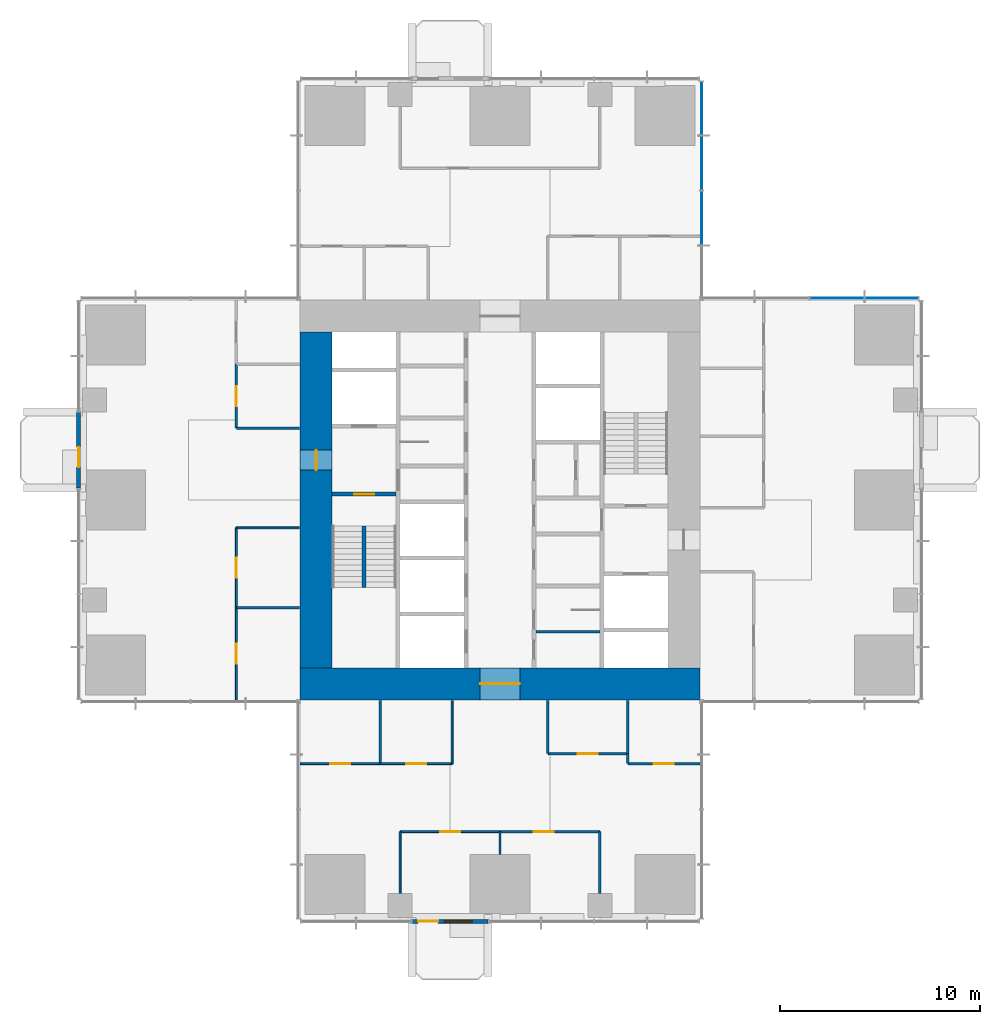
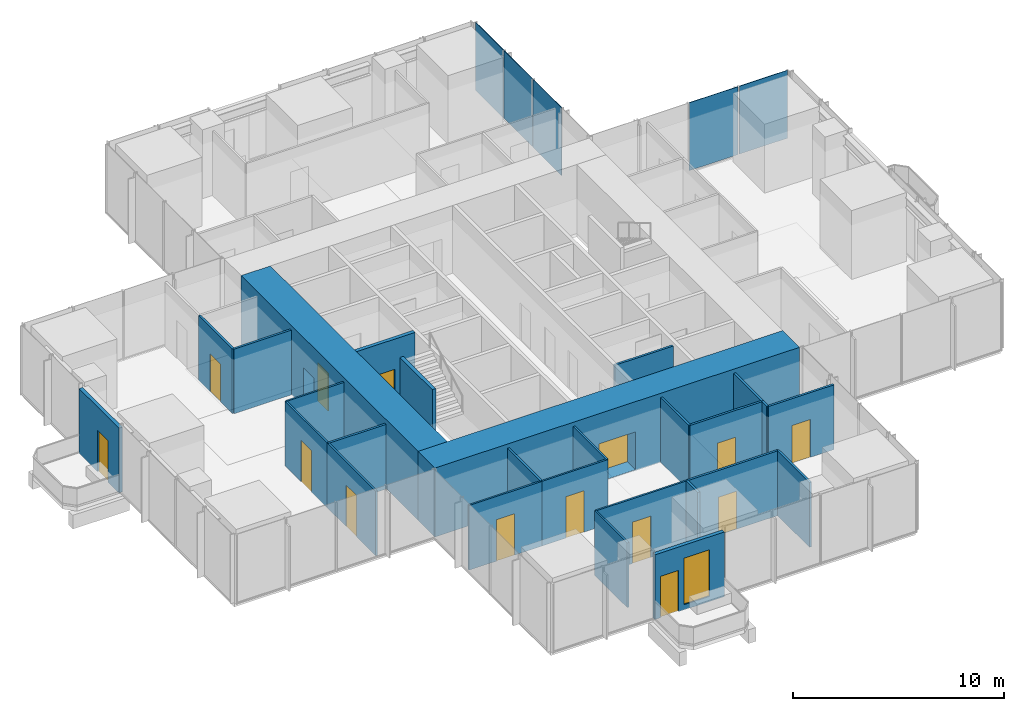
# One storey, part 8 of 13: 27 walls, 14 doors, 5 plates, 1 window, 15 openings, 2 elements without a shape of their own.
"""IFC4 building model written with IfcOpenShell, lengths in metres."""

from ifc_helpers import new_model, si_unit, direction, frame, frame_2d, origin, origin_2d, place, context, subcontext, project, spatial, rectangle, extrude, material, layer, layer_set, type_object, element, fill, aggregate, save


model = new_model("IFC4")

# Units and contexts
model_context = context("Model", 3, precision=1e-05, world=origin(), true_north=direction((0.0, 1.0)))
body_context = subcontext(model_context, "Body", "Model", "MODEL_VIEW")
ifc_project = project(units=[si_unit("LENGTHUNIT", "METRE"), si_unit("AREAUNIT", "SQUARE_METRE"), si_unit("VOLUMEUNIT", "CUBIC_METRE"), si_unit("PLANEANGLEUNIT", "RADIAN"), si_unit("MASSUNIT", "GRAM", prefix="KILO")], contexts=[model_context])

# Site, building, storey
site_placement = place(None, origin())
site = spatial("IfcSite", under=ifc_project, at=site_placement, CompositionType="ELEMENT")
building_placement = place(site_placement, origin())
building = spatial("IfcBuilding", under=site, at=building_placement, Name="Svetlomir Tower", CompositionType="ELEMENT")
storey_placement = place(building_placement, frame((0.0, 0.0, 124.5)))
storey = spatial("IfcBuildingStorey", under=building, at=storey_placement, Name="L29", CompositionType="ELEMENT", Elevation=124.5)

# Curtain wall, plates
ifc_material_1 = material(Name="Bronze anodised aluminium curtain wall", Category="aluminium")
curtain_wall_type = type_object("IfcCurtainWallType", Name="CURTAIN WALL CW1 TOWER OFFICE", PredefinedType="NOTDEFINED", material=ifc_material_1)
curtain_wall_1_placement = place(storey_placement, origin())
curtain_wall_1 = element("IfcCurtainWall", 1, at=curtain_wall_1_placement, inside=storey, type_object=curtain_wall_type, Name="Curtain wall CW1 L29", PredefinedType="NOTDEFINED")
ifc_material_2 = material(Name="Tinted double glazed unit", Category="glass")
ifc_layer_1 = layer(ifc_material_2, 0.031982421875)
ifc_layer_set_1 = layer_set([ifc_layer_1], Name="Tinted double glazed unit")
plate_type = type_object("IfcPlateType", Name="CW1 GLAZED PANEL 32", PredefinedType="CURTAIN_PANEL", material=ifc_layer_set_1)
plate_1_placement = place(storey_placement, frame((40.608642578125, 31.10009765625, 0.06494140625), z_axis=(0.0, 0.0, 1.0), x_axis=(-1.0, 0.0, 0.0)))
plate_1 = element("IfcPlate", 2, at=plate_1_placement, type_object=plate_type, Name="CW1 panel 1.1", PredefinedType="CURTAIN_PANEL", context=body_context, shape_type="SweptSolid", body=[
    extrude(rectangle(XDim=2.652587890625, YDim=0.031982421875, at=origin_2d()), origin(), (0.0, 0.0, 1.0), 3.93505859375),
])
plate_2_placement = place(storey_placement, frame((37.875, 31.10009765625, 0.06494140625), z_axis=(0.0, 0.0, 1.0), x_axis=(-1.0, 0.0, 0.0)))
plate_2 = element("IfcPlate", 3, at=plate_2_placement, type_object=plate_type, Name="CW1 panel 2.1", PredefinedType="CURTAIN_PANEL", context=body_context, shape_type="SweptSolid", body=[
    extrude(rectangle(XDim=2.68505859375, YDim=0.031982421875, at=origin_2d()), origin(), (0.0, 0.0, 1.0), 3.93505859375),
])
aggregate(curtain_wall_1, [plate_1, plate_2])

curtain_wall_2_placement = place(storey_placement, origin())
curtain_wall_2 = element("IfcCurtainWall", 4, at=curtain_wall_2_placement, inside=storey, type_object=curtain_wall_type, Name="Curtain wall CW1 L29", PredefinedType="NOTDEFINED")
plate_3_placement = place(storey_placement, frame((31.10009765625, 35.125, 0.06494140625), z_axis=(0.0, 0.0, 1.0), x_axis=(0.0, 1.0, 0.0)))
plate_3 = element("IfcPlate", 5, at=plate_3_placement, type_object=plate_type, Name="CW1 panel 2.1", PredefinedType="CURTAIN_PANEL", context=body_context, shape_type="SweptSolid", body=[
    extrude(rectangle(XDim=2.68505859375, YDim=0.031982421875, at=origin_2d()), origin(), (0.0, 0.0, 1.0), 3.93505859375),
])
plate_4_placement = place(storey_placement, frame((31.10009765625, 37.875, 0.06494140625), z_axis=(0.0, 0.0, 1.0), x_axis=(0.0, 1.0, 0.0)))
plate_4 = element("IfcPlate", 6, at=plate_4_placement, type_object=plate_type, Name="CW1 panel 3.1", PredefinedType="CURTAIN_PANEL", context=body_context, shape_type="SweptSolid", body=[
    extrude(rectangle(XDim=2.68505859375, YDim=0.031982421875, at=origin_2d()), origin(), (0.0, 0.0, 1.0), 3.93505859375),
])
plate_5_placement = place(storey_placement, frame((31.10009765625, 40.608642578125, 0.06494140625), z_axis=(0.0, 0.0, 1.0), x_axis=(0.0, 1.0, 0.0)))
plate_5 = element("IfcPlate", 7, at=plate_5_placement, type_object=plate_type, Name="CW1 panel 4.1", PredefinedType="CURTAIN_PANEL", context=body_context, shape_type="SweptSolid", body=[
    extrude(rectangle(XDim=2.652587890625, YDim=0.031982421875, at=origin_2d()), origin(), (0.0, 0.0, 1.0), 3.93505859375),
])
aggregate(curtain_wall_2, [plate_3, plate_4, plate_5])

# Wall, openings, door, window
ifc_material_3 = material(Name="Bronze anodised aluminium glazed screen", Category="aluminium")
ifc_layer_2 = layer(ifc_material_3, 0.199951171875)
ifc_layer_set_2 = layer_set([ifc_layer_2], Name="Bronze anodised aluminium glazed screen")
wall_type_1 = type_object("IfcWallType", Name="BALCONY SCREEN WALL 200", PredefinedType="USERDEFINED", material=ifc_layer_set_2)
wall_1_placement = place(storey_placement, frame((16.60009765625, -0.10009765625, 0.0), z_axis=(0.0, 0.0, 1.0), x_axis=(1.0, 0.0, 0.0)))
wall_1 = element("IfcWall", 8, at=wall_1_placement, inside=storey, type_object=wall_type_1, Name="Balcony screen S", ObjectType="GLAZED SCREEN", PredefinedType="USERDEFINED", context=body_context, shape_type="SweptSolid", body=[
    extrude(rectangle(XDim=3.7998046875, YDim=0.199951171875, at=frame_2d((1.89990234375, 0.0))), origin(), (0.0, 0.0, 1.0), 3.75),
])
opening_1_placement = place(wall_1_placement, frame((0.300048828125, 0.0, 0.0)))
opening_1 = element("IfcOpeningElement", 9, at=opening_1_placement, cuts=wall_1, Name="Opening BD", PredefinedType="OPENING", context=body_context, shape_type="SweptSolid", body=[
    extrude(rectangle(XDim=1.0, YDim=2.39990234375, at=frame_2d((0.5, 1.199951171875))), frame((0.0, 0.10986328125, 0.0), z_axis=(0.0, -1.0, 0.0), x_axis=(1.0, 0.0, 0.0)), (0.0, 0.0, 1.0), 0.219970703125),
])
opening_2_placement = place(wall_1_placement, frame((1.60009765625, 0.0, 0.300048828125)))
opening_2 = element("IfcOpeningElement", 10, at=opening_2_placement, cuts=wall_1, Name="Opening WS2", PredefinedType="OPENING", context=body_context, shape_type="SweptSolid", body=[
    extrude(rectangle(XDim=1.39990234375, YDim=2.699951171875, at=frame_2d((0.699951171875, 1.35009765625))), frame((0.0, 0.10986328125, 0.0), z_axis=(0.0, -1.0, 0.0), x_axis=(1.0, 0.0, 0.0)), (0.0, 0.0, 1.0), 0.219970703125),
])
ifc_material_4 = material(Name="Bronze anodised aluminium glazed door", Category="aluminium")
door_type_1 = type_object("IfcDoorType", Name="BALCONY DOOR BD 1000x2400", OperationType="SINGLE_SWING_LEFT", PredefinedType="DOOR", material=ifc_material_4)
door_1_placement = place(opening_1_placement, origin())
door_1 = element("IfcDoor", 11, at=door_1_placement, inside=storey, type_object=door_type_1, Name="Balcony screen S door", OperationType="SINGLE_SWING_LEFT", OverallHeight=2.39990234375, OverallWidth=1.0, PredefinedType="DOOR", context=body_context, shape_type="SweptSolid", body=[
    extrude(rectangle(XDim=1.0, YDim=2.39990234375, at=frame_2d((0.5, 1.199951171875))), frame((0.0, 0.02490234375, 0.0), z_axis=(0.0, -1.0, 0.0), x_axis=(1.0, 0.0, 0.0)), (0.0, 0.0, 1.0), 0.050048828125),
])
fill(opening_1, door_1)
ifc_material_5 = material(Name="Bronze anodised aluminium window", Category="aluminium")
window_type = type_object("IfcWindowType", Name="SCREEN WINDOW WS2 1400x2700", PartitioningType="SINGLE_PANEL", PredefinedType="WINDOW", material=ifc_material_5)
window_placement = place(opening_2_placement, origin())
window = element("IfcWindow", 12, at=window_placement, inside=storey, type_object=window_type, Name="Balcony screen S window 1", OverallHeight=2.699951171875, OverallWidth=1.39990234375, PartitioningType="SINGLE_PANEL", PredefinedType="WINDOW", context=body_context, shape_type="SweptSolid", body=[
    extrude(rectangle(XDim=1.39990234375, YDim=2.699951171875, at=frame_2d((0.699951171875, 1.35009765625))), frame((0.0, 0.030029296875, 0.0), z_axis=(0.0, -1.0, 0.0), x_axis=(1.0, 0.0, 0.0)), (0.0, 0.0, 1.0), 0.06005859375),
])
fill(opening_2, window)

# Wall, opening, door
wall_2_placement = place(storey_placement, frame((-0.10009765625, 25.39990234375, 0.0), z_axis=(0.0, 0.0, 1.0), x_axis=(0.0, -1.0, 0.0)))
wall_2 = element("IfcWall", 13, at=wall_2_placement, inside=storey, type_object=wall_type_1, Name="Balcony screen W", ObjectType="GLAZED SCREEN", PredefinedType="USERDEFINED", context=body_context, shape_type="SweptSolid", body=[
    extrude(rectangle(XDim=3.7998046875, YDim=0.199951171875, at=frame_2d((1.89990234375, 0.0))), origin(), (0.0, 0.0, 1.0), 3.75),
])
opening_3_placement = place(wall_2_placement, frame((1.75, 0.0, 0.0)))
opening_3 = element("IfcOpeningElement", 14, at=opening_3_placement, cuts=wall_2, Name="Opening BD", PredefinedType="OPENING", context=body_context, shape_type="SweptSolid", body=[
    extrude(rectangle(XDim=1.0, YDim=2.39990234375, at=frame_2d((0.5, 1.199951171875))), frame((0.0, 0.10986328125, 0.0), z_axis=(0.0, -1.0, 0.0), x_axis=(1.0, 0.0, 0.0)), (0.0, 0.0, 1.0), 0.219970703125),
])
door_2_placement = place(opening_3_placement, origin())
door_2 = element("IfcDoor", 15, at=door_2_placement, inside=storey, type_object=door_type_1, Name="Balcony screen W door", OperationType="SINGLE_SWING_LEFT", OverallHeight=2.39990234375, OverallWidth=1.0, PredefinedType="DOOR", context=body_context, shape_type="SweptSolid", body=[
    extrude(rectangle(XDim=1.0, YDim=2.39990234375, at=frame_2d((0.5, 1.199951171875))), frame((0.0, 0.02490234375, 0.0), z_axis=(0.0, -1.0, 0.0), x_axis=(1.0, 0.0, 0.0)), (0.0, 0.0, 1.0), 0.050048828125),
])
fill(opening_3, door_2)

ifc_material_6 = material(Name="Concrete C60/75", Category="concrete")
ifc_layer_3 = layer(ifc_material_6, 0.199951171875)
ifc_layer_set_3 = layer_set([ifc_layer_3], Name="Concrete C60/75")
wall_type_2 = type_object("IfcWallType", Name="CORE INNER WALL 200", PredefinedType="SHEAR", material=ifc_layer_set_3)
wall_3_placement = place(storey_placement, frame((12.60009765625, 21.300048828125, -0.050048828125), z_axis=(0.0, 0.0, 1.0), x_axis=(1.0, 0.0, 0.0)))
wall_3 = element("IfcWall", 16, at=wall_3_placement, inside=storey, type_object=wall_type_2, Name="Core inner wall 12.6-15.8/21.3 L29", PredefinedType="SHEAR", context=body_context, shape_type="SweptSolid", body=[
    extrude(rectangle(XDim=3.199951171875, YDim=0.199951171875, at=frame_2d((1.60009765625, 0.0))), origin(), (0.0, 0.0, 1.0), 4.0),
])
opening_4_placement = place(wall_3_placement, frame((1.10009765625, 0.0, 0.050048828125)))
opening_4 = element("IfcOpeningElement", 17, at=opening_4_placement, cuts=wall_3, Name="Opening DF", PredefinedType="OPENING", context=body_context, shape_type="SweptSolid", body=[
    extrude(rectangle(XDim=1.0, YDim=2.199951171875, at=frame_2d((0.5, 1.10009765625))), frame((0.0, 0.10986328125, 0.0), z_axis=(0.0, -1.0, 0.0), x_axis=(1.0, 0.0, 0.0)), (0.0, 0.0, 1.0), 0.219970703125),
])
ifc_material_7 = material(Name="Steel fire door", Category="steel")
door_type_2 = type_object("IfcDoorType", Name="DOOR DF 1000x2200", OperationType="SINGLE_SWING_LEFT", PredefinedType="DOOR", material=ifc_material_7)
door_3_placement = place(opening_4_placement, origin())
door_3 = element("IfcDoor", 18, at=door_3_placement, inside=storey, type_object=door_type_2, Name="Stair S1 door L29", OperationType="SINGLE_SWING_RIGHT", OverallHeight=2.199951171875, OverallWidth=1.0, PredefinedType="DOOR", context=body_context, shape_type="SweptSolid", body=[
    extrude(rectangle(XDim=1.0, YDim=2.199951171875, at=frame_2d((0.5, 1.10009765625))), frame((0.0, 0.02490234375, 0.0), z_axis=(0.0, -1.0, 0.0), x_axis=(1.0, 0.0, 0.0)), (0.0, 0.0, 1.0), 0.050048828125),
])
fill(opening_4, door_3)

ifc_material_8 = material(Name="Concrete C60/75", Category="concrete")
ifc_layer_4 = layer(ifc_material_8, 1.60009765625)
ifc_layer_set_4 = layer_set([ifc_layer_4], Name="Concrete C60/75")
wall_type_3 = type_object("IfcWallType", Name="CORE WALL 1600", PredefinedType="SHEAR", material=ifc_layer_set_4)
wall_4_placement = place(storey_placement, frame((11.0, 11.800048828125, -0.050048828125), z_axis=(0.0, 0.0, 1.0), x_axis=(1.0, 0.0, 0.0)))
wall_4 = element("IfcWall", 19, at=wall_4_placement, inside=storey, type_object=wall_type_3, Name="Core wall south L29", PredefinedType="SHEAR", context=body_context, shape_type="SweptSolid", body=[
    extrude(rectangle(XDim=20.0, YDim=1.60009765625, at=frame_2d((10.0, 0.0))), origin(), (0.0, 0.0, 1.0), 4.0),
])
opening_5_placement = place(wall_4_placement, frame((9.0, 0.0, 0.050048828125)))
opening_5 = element("IfcOpeningElement", 20, at=opening_5_placement, cuts=wall_4, Name="Opening DL", PredefinedType="OPENING", context=body_context, shape_type="SweptSolid", body=[
    extrude(rectangle(XDim=2.0, YDim=2.199951171875, at=frame_2d((1.0, 1.10009765625))), frame((0.0, 0.81005859375, 0.0), z_axis=(0.0, -1.0, 0.0), x_axis=(1.0, 0.0, 0.0)), (0.0, 0.0, 1.0), 1.6201171875),
])
ifc_material_9 = material(Name="Steel fire door", Category="steel")
door_type_3 = type_object("IfcDoorType", Name="DOOR DL 2000x2200", OperationType="DOUBLE_DOOR_SINGLE_SWING", PredefinedType="DOOR", material=ifc_material_9)
door_4_placement = place(opening_5_placement, origin())
door_4 = element("IfcDoor", 21, at=door_4_placement, inside=storey, type_object=door_type_3, Name="Lift lobby south door L29", OperationType="DOUBLE_DOOR_SINGLE_SWING", OverallHeight=2.199951171875, OverallWidth=2.0, PredefinedType="DOOR", context=body_context, shape_type="SweptSolid", body=[
    extrude(rectangle(XDim=2.0, YDim=2.199951171875, at=frame_2d((1.0, 1.10009765625))), frame((0.0, 0.02490234375, 0.0), z_axis=(0.0, -1.0, 0.0), x_axis=(1.0, 0.0, 0.0)), (0.0, 0.0, 1.0), 0.050048828125),
])
fill(opening_5, door_4)

wall_5_placement = place(storey_placement, frame((11.800048828125, 12.60009765625, -0.050048828125), z_axis=(0.0, 0.0, 1.0), x_axis=(0.0, 1.0, 0.0)))
wall_5 = element("IfcWall", 22, at=wall_5_placement, inside=storey, type_object=wall_type_3, Name="Core wall west L29", PredefinedType="SHEAR", context=body_context, shape_type="SweptSolid", body=[
    extrude(rectangle(XDim=16.7998046875, YDim=1.60009765625, at=frame_2d((8.39990234375, 0.0))), origin(), (0.0, 0.0, 1.0), 4.0),
])
opening_6_placement = place(wall_5_placement, frame((9.89990234375, 0.0, 0.050048828125)))
opening_6 = element("IfcOpeningElement", 23, at=opening_6_placement, cuts=wall_5, Name="Opening DF", PredefinedType="OPENING", context=body_context, shape_type="SweptSolid", body=[
    extrude(rectangle(XDim=1.0, YDim=2.199951171875, at=frame_2d((0.5, 1.10009765625))), frame((0.0, 0.81005859375, 0.0), z_axis=(0.0, -1.0, 0.0), x_axis=(1.0, 0.0, 0.0)), (0.0, 0.0, 1.0), 1.6201171875),
])
door_5_placement = place(opening_6_placement, origin())
door_5 = element("IfcDoor", 24, at=door_5_placement, inside=storey, type_object=door_type_2, Name="Firefighting lobby west door L29", OperationType="SINGLE_SWING_RIGHT", OverallHeight=2.199951171875, OverallWidth=1.0, PredefinedType="DOOR", context=body_context, shape_type="SweptSolid", body=[
    extrude(rectangle(XDim=1.0, YDim=2.199951171875, at=frame_2d((0.5, 1.10009765625))), frame((0.0, 0.02490234375, 0.0), z_axis=(0.0, -1.0, 0.0), x_axis=(1.0, 0.0, 0.0)), (0.0, 0.0, 1.0), 0.050048828125),
])
fill(opening_6, door_5)

ifc_material_10 = material(Name="Framed laminated glass partition", Category="glass")
ifc_layer_5 = layer(ifc_material_10, 0.10009765625)
ifc_layer_set_5 = layer_set([ifc_layer_5], Name="Framed laminated glass partition")
wall_type_4 = type_object("IfcWallType", Name="GLAZED PARTITION 100", PredefinedType="PARTITIONING", material=ifc_layer_set_5)
wall_6_placement = place(storey_placement, frame((7.800048828125, 11.0, 0.0), z_axis=(0.0, 0.0, 1.0), x_axis=(0.0, 1.0, 0.0)))
wall_6 = element("IfcWall", 25, at=wall_6_placement, inside=storey, type_object=wall_type_4, Name="Glazed partition L29", PredefinedType="PARTITIONING", context=body_context, shape_type="SweptSolid", body=[
    extrude(rectangle(XDim=4.60009765625, YDim=0.10009765625, at=frame_2d((2.300048828125, 0.0))), origin(), (0.0, 0.0, 1.0), 3.75),
])
opening_7_placement = place(wall_6_placement, frame((1.800048828125, 0.0, 0.0)))
opening_7 = element("IfcOpeningElement", 26, at=opening_7_placement, cuts=wall_6, Name="Opening DG", PredefinedType="OPENING", context=body_context, shape_type="SweptSolid", body=[
    extrude(rectangle(XDim=1.0, YDim=2.39990234375, at=frame_2d((0.5, 1.199951171875))), frame((0.0, 0.06005859375, 0.0), z_axis=(0.0, -1.0, 0.0), x_axis=(1.0, 0.0, 0.0)), (0.0, 0.0, 1.0), 0.1201171875),
])
ifc_material_11 = material(Name="Framed laminated glass door", Category="glass")
door_type_4 = type_object("IfcDoorType", Name="GLAZED DOOR DG 1000x2400", OperationType="SINGLE_SWING_LEFT", PredefinedType="DOOR", material=ifc_material_11)
door_6_placement = place(opening_7_placement, origin())
door_6 = element("IfcDoor", 27, at=door_6_placement, inside=storey, type_object=door_type_4, Name="Meeting room, 4 seats door L29", OperationType="SINGLE_SWING_RIGHT", OverallHeight=2.39990234375, OverallWidth=1.0, PredefinedType="DOOR", context=body_context, shape_type="SweptSolid", body=[
    extrude(rectangle(XDim=1.0, YDim=2.39990234375, at=frame_2d((0.5, 1.199951171875))), frame((0.0, 0.02490234375, 0.0), z_axis=(0.0, -1.0, 0.0), x_axis=(1.0, 0.0, 0.0)), (0.0, 0.0, 1.0), 0.050048828125),
])
fill(opening_7, door_6)

wall_7_placement = place(storey_placement, frame((7.800048828125, 15.60009765625, 0.0), z_axis=(0.0, 0.0, 1.0), x_axis=(0.0, 1.0, 0.0)))
wall_7 = element("IfcWall", 28, at=wall_7_placement, inside=storey, type_object=wall_type_4, Name="Glazed partition L29", PredefinedType="PARTITIONING", context=body_context, shape_type="SweptSolid", body=[
    extrude(rectangle(XDim=4.0, YDim=0.10009765625, at=frame_2d((2.0, 0.0))), origin(), (0.0, 0.0, 1.0), 3.75),
])
opening_8_placement = place(wall_7_placement, frame((1.5, 0.0, 0.0)))
opening_8 = element("IfcOpeningElement", 29, at=opening_8_placement, cuts=wall_7, Name="Opening DG", PredefinedType="OPENING", context=body_context, shape_type="SweptSolid", body=[
    extrude(rectangle(XDim=1.0, YDim=2.39990234375, at=frame_2d((0.5, 1.199951171875))), frame((0.0, 0.06005859375, 0.0), z_axis=(0.0, -1.0, 0.0), x_axis=(1.0, 0.0, 0.0)), (0.0, 0.0, 1.0), 0.1201171875),
])
door_7_placement = place(opening_8_placement, origin())
door_7 = element("IfcDoor", 30, at=door_7_placement, inside=storey, type_object=door_type_4, Name="Phone rooms door L29", OperationType="SINGLE_SWING_LEFT", OverallHeight=2.39990234375, OverallWidth=1.0, PredefinedType="DOOR", context=body_context, shape_type="SweptSolid", body=[
    extrude(rectangle(XDim=1.0, YDim=2.39990234375, at=frame_2d((0.5, 1.199951171875))), frame((0.0, 0.02490234375, 0.0), z_axis=(0.0, -1.0, 0.0), x_axis=(1.0, 0.0, 0.0)), (0.0, 0.0, 1.0), 0.050048828125),
])
fill(opening_8, door_7)

# Wall
wall_8_placement = place(storey_placement, frame((7.800048828125, 19.60009765625, 0.0), z_axis=(0.0, 0.0, 1.0), x_axis=(1.0, 0.0, 0.0)))
element("IfcWall", 31, at=wall_8_placement, inside=storey, type_object=wall_type_4, Name="Glazed partition L29", PredefinedType="PARTITIONING", context=body_context, shape_type="SweptSolid", body=[
    extrude(rectangle(XDim=3.14990234375, YDim=0.10009765625, at=frame_2d((1.574951171875, 0.0))), origin(), (0.0, 0.0, 1.0), 3.75),
])

# Wall, opening, door
wall_9_placement = place(storey_placement, frame((11.0, 7.800048828125, 0.0), z_axis=(0.0, 0.0, 1.0), x_axis=(1.0, 0.0, 0.0)))
wall_9 = element("IfcWall", 32, at=wall_9_placement, inside=storey, type_object=wall_type_4, Name="Glazed partition L29", PredefinedType="PARTITIONING", context=body_context, shape_type="SweptSolid", body=[
    extrude(rectangle(XDim=4.0, YDim=0.10009765625, at=frame_2d((2.0, 0.0))), origin(), (0.0, 0.0, 1.0), 3.75),
])
opening_9_placement = place(wall_9_placement, frame((1.5, 0.0, 0.0)))
opening_9 = element("IfcOpeningElement", 33, at=opening_9_placement, cuts=wall_9, Name="Opening DG", PredefinedType="OPENING", context=body_context, shape_type="SweptSolid", body=[
    extrude(rectangle(XDim=1.0, YDim=2.39990234375, at=frame_2d((0.5, 1.199951171875))), frame((0.0, 0.06005859375, 0.0), z_axis=(0.0, -1.0, 0.0), x_axis=(1.0, 0.0, 0.0)), (0.0, 0.0, 1.0), 0.1201171875),
])
door_8_placement = place(opening_9_placement, origin())
door_8 = element("IfcDoor", 34, at=door_8_placement, inside=storey, type_object=door_type_4, Name="Grid model room door L29", OperationType="SINGLE_SWING_RIGHT", OverallHeight=2.39990234375, OverallWidth=1.0, PredefinedType="DOOR", context=body_context, shape_type="SweptSolid", body=[
    extrude(rectangle(XDim=1.0, YDim=2.39990234375, at=frame_2d((0.5, 1.199951171875))), frame((0.0, 0.02490234375, 0.0), z_axis=(0.0, -1.0, 0.0), x_axis=(1.0, 0.0, 0.0)), (0.0, 0.0, 1.0), 0.050048828125),
])
fill(opening_9, door_8)

wall_10_placement = place(storey_placement, frame((15.0, 7.800048828125, 0.0), z_axis=(0.0, 0.0, 1.0), x_axis=(1.0, 0.0, 0.0)))
wall_10 = element("IfcWall", 35, at=wall_10_placement, inside=storey, type_object=wall_type_4, Name="Glazed partition L29", PredefinedType="PARTITIONING", context=body_context, shape_type="SweptSolid", body=[
    extrude(rectangle(XDim=3.60009765625, YDim=0.10009765625, at=frame_2d((1.800048828125, 0.0))), origin(), (0.0, 0.0, 1.0), 3.75),
])
opening_10_placement = place(wall_10_placement, frame((1.300048828125, 0.0, 0.0)))
opening_10 = element("IfcOpeningElement", 36, at=opening_10_placement, cuts=wall_10, Name="Opening DG", PredefinedType="OPENING", context=body_context, shape_type="SweptSolid", body=[
    extrude(rectangle(XDim=1.0, YDim=2.39990234375, at=frame_2d((0.5, 1.199951171875))), frame((0.0, 0.06005859375, 0.0), z_axis=(0.0, -1.0, 0.0), x_axis=(1.0, 0.0, 0.0)), (0.0, 0.0, 1.0), 0.1201171875),
])
door_9_placement = place(opening_10_placement, origin())
door_9 = element("IfcDoor", 37, at=door_9_placement, inside=storey, type_object=door_type_4, Name="Meeting room, 8 seats door L29", OperationType="SINGLE_SWING_RIGHT", OverallHeight=2.39990234375, OverallWidth=1.0, PredefinedType="DOOR", context=body_context, shape_type="SweptSolid", body=[
    extrude(rectangle(XDim=1.0, YDim=2.39990234375, at=frame_2d((0.5, 1.199951171875))), frame((0.0, 0.02490234375, 0.0), z_axis=(0.0, -1.0, 0.0), x_axis=(1.0, 0.0, 0.0)), (0.0, 0.0, 1.0), 0.050048828125),
])
fill(opening_10, door_9)

# Wall
wall_11_placement = place(storey_placement, frame((16.0, 1.31005859375, 0.0), z_axis=(0.0, 0.0, 1.0), x_axis=(0.0, 1.0, 0.0)))
element("IfcWall", 38, at=wall_11_placement, inside=storey, type_object=wall_type_4, Name="Glazed partition L29", PredefinedType="PARTITIONING", context=body_context, shape_type="SweptSolid", body=[
    extrude(rectangle(XDim=3.08984375, YDim=0.10009765625, at=frame_2d((1.544921875, 0.0))), origin(), (0.0, 0.0, 1.0), 3.75),
])

# Wall, opening, door
wall_12_placement = place(storey_placement, frame((16.0, 4.39990234375, 0.0), z_axis=(0.0, 0.0, 1.0), x_axis=(1.0, 0.0, 0.0)))
wall_12 = element("IfcWall", 39, at=wall_12_placement, inside=storey, type_object=wall_type_4, Name="Glazed partition L29", PredefinedType="PARTITIONING", context=body_context, shape_type="SweptSolid", body=[
    extrude(rectangle(XDim=5.0, YDim=0.10009765625, at=frame_2d((2.5, 0.0))), origin(), (0.0, 0.0, 1.0), 3.75),
])
opening_11_placement = place(wall_12_placement, frame((2.0, 0.0, 0.0)))
opening_11 = element("IfcOpeningElement", 40, at=opening_11_placement, cuts=wall_12, Name="Opening DG", PredefinedType="OPENING", context=body_context, shape_type="SweptSolid", body=[
    extrude(rectangle(XDim=1.0, YDim=2.39990234375, at=frame_2d((0.5, 1.199951171875))), frame((0.0, 0.06005859375, 0.0), z_axis=(0.0, -1.0, 0.0), x_axis=(1.0, 0.0, 0.0)), (0.0, 0.0, 1.0), 0.1201171875),
])
door_10_placement = place(opening_11_placement, origin())
door_10 = element("IfcDoor", 41, at=door_10_placement, inside=storey, type_object=door_type_4, Name="Break-out and kitchenette door L29", OperationType="SINGLE_SWING_RIGHT", OverallHeight=2.39990234375, OverallWidth=1.0, PredefinedType="DOOR", context=body_context, shape_type="SweptSolid", body=[
    extrude(rectangle(XDim=1.0, YDim=2.39990234375, at=frame_2d((0.5, 1.199951171875))), frame((0.0, 0.02490234375, 0.0), z_axis=(0.0, -1.0, 0.0), x_axis=(1.0, 0.0, 0.0)), (0.0, 0.0, 1.0), 0.050048828125),
])
fill(opening_11, door_10)

# Walls
wall_13_placement = place(storey_placement, frame((18.60009765625, 7.800048828125, 0.0), z_axis=(0.0, 0.0, 1.0), x_axis=(0.0, 1.0, 0.0)))
element("IfcWall", 42, at=wall_13_placement, inside=storey, type_object=wall_type_4, Name="Glazed partition L29", PredefinedType="PARTITIONING", context=body_context, shape_type="SweptSolid", body=[
    extrude(rectangle(XDim=3.14990234375, YDim=0.10009765625, at=frame_2d((1.574951171875, 0.0))), origin(), (0.0, 0.0, 1.0), 3.75),
])
ifc_material_12 = material(Name="Gypsum board on steel studs", Category="steel")
ifc_layer_6 = layer(ifc_material_12, 0.1201171875)
ifc_layer_set_6 = layer_set([ifc_layer_6], Name="Gypsum board on steel studs")
wall_type_5 = type_object("IfcWallType", Name="PARTITION 120", PredefinedType="PARTITIONING", material=ifc_layer_set_6)
wall_14_placement = place(storey_placement, frame((22.800048828125, 14.39990234375, 0.0), z_axis=(0.0, 0.0, 1.0), x_axis=(1.0, 0.0, 0.0)))
element("IfcWall", 43, at=wall_14_placement, inside=storey, type_object=wall_type_5, Name="Floor store partition L29", PredefinedType="PARTITIONING", context=body_context, shape_type="SweptSolid", body=[
    extrude(rectangle(XDim=3.199951171875, YDim=0.1201171875, at=frame_2d((1.60009765625, 0.0))), origin(), (0.0, 0.0, 1.0), 3.75),
])
wall_15_placement = place(storey_placement, frame((7.800048828125, 15.60009765625, 0.0), z_axis=(0.0, 0.0, 1.0), x_axis=(1.0, 0.0, 0.0)))
element("IfcWall", 44, at=wall_15_placement, inside=storey, type_object=wall_type_5, Name="Partition L29", PredefinedType="PARTITIONING", context=body_context, shape_type="SweptSolid", body=[
    extrude(rectangle(XDim=3.14990234375, YDim=0.1201171875, at=frame_2d((1.574951171875, 0.0))), origin(), (0.0, 0.0, 1.0), 3.75),
])

# Wall, opening, door
wall_16_placement = place(storey_placement, frame((7.800048828125, 24.60009765625, 0.0), z_axis=(0.0, 0.0, 1.0), x_axis=(0.0, 1.0, 0.0)))
wall_16 = element("IfcWall", 45, at=wall_16_placement, inside=storey, type_object=wall_type_5, Name="Partition L29", PredefinedType="PARTITIONING", context=body_context, shape_type="SweptSolid", body=[
    extrude(rectangle(XDim=3.199951171875, YDim=0.1201171875, at=frame_2d((1.60009765625, 0.0))), origin(), (0.0, 0.0, 1.0), 3.75),
])
opening_12_placement = place(wall_16_placement, frame((1.10009765625, 0.0, 0.0)))
opening_12 = element("IfcOpeningElement", 46, at=opening_12_placement, cuts=wall_16, Name="Opening DR", PredefinedType="OPENING", context=body_context, shape_type="SweptSolid", body=[
    extrude(rectangle(XDim=1.0, YDim=2.199951171875, at=frame_2d((0.5, 1.10009765625))), frame((0.0, 0.070068359375, 0.0), z_axis=(0.0, -1.0, 0.0), x_axis=(1.0, 0.0, 0.0)), (0.0, 0.0, 1.0), 0.14013671875),
])
ifc_material_13 = material(Name="Timber door, glazed side light", Category="wood")
door_type_5 = type_object("IfcDoorType", Name="DOOR DR 1000x2200", OperationType="SINGLE_SWING_LEFT", PredefinedType="DOOR", material=ifc_material_13)
door_11_placement = place(opening_12_placement, origin())
door_11 = element("IfcDoor", 47, at=door_11_placement, inside=storey, type_object=door_type_5, Name="Energy analyst office door L29", OperationType="SINGLE_SWING_RIGHT", OverallHeight=2.199951171875, OverallWidth=1.0, PredefinedType="DOOR", context=body_context, shape_type="SweptSolid", body=[
    extrude(rectangle(XDim=1.0, YDim=2.199951171875, at=frame_2d((0.5, 1.10009765625))), frame((0.0, 0.02490234375, 0.0), z_axis=(0.0, -1.0, 0.0), x_axis=(1.0, 0.0, 0.0)), (0.0, 0.0, 1.0), 0.050048828125),
])
fill(opening_12, door_11)

# Walls
for number, where, z_axis, x_axis, name in (
    (48, (7.800048828125, 24.60009765625, 0.0), (0.0, 0.0, 1.0), (1.0, 0.0, 0.0), "Partition L29"),
    (49, (15.0, 7.800048828125, 0.0), (0.0, 0.0, 1.0), (0.0, 1.0, 0.0), "Partition L29"),
):
    element("IfcWall", number, at=place(storey_placement, frame(where, z_axis=z_axis, x_axis=x_axis)), inside=storey, type_object=wall_type_5, Name=name, PredefinedType="PARTITIONING", context=body_context, shape_type="SweptSolid", body=[
        extrude(rectangle(XDim=3.14990234375, YDim=0.1201171875, at=frame_2d((1.574951171875, 0.0))), origin(), (0.0, 0.0, 1.0), 3.75),
    ])
wall_17_placement = place(storey_placement, frame((21.0, 3.260009765625, 0.0), z_axis=(0.0, 0.0, 1.0), x_axis=(0.0, 1.0, 0.0)))
element("IfcWall", 50, at=wall_17_placement, inside=storey, type_object=wall_type_5, Name="Partition L29", PredefinedType="PARTITIONING", context=body_context, shape_type="SweptSolid", body=[
    extrude(rectangle(XDim=1.139892578125, YDim=0.1201171875, at=frame_2d((0.56982421875, 0.0))), origin(), (0.0, 0.0, 1.0), 3.75),
])

# Wall, opening, door
wall_18_placement = place(storey_placement, frame((21.0, 4.39990234375, 0.0), z_axis=(0.0, 0.0, 1.0), x_axis=(1.0, 0.0, 0.0)))
wall_18 = element("IfcWall", 51, at=wall_18_placement, inside=storey, type_object=wall_type_5, Name="Partition L29", PredefinedType="PARTITIONING", context=body_context, shape_type="SweptSolid", body=[
    extrude(rectangle(XDim=5.0, YDim=0.1201171875, at=frame_2d((2.5, 0.0))), origin(), (0.0, 0.0, 1.0), 3.75),
])
opening_13_placement = place(wall_18_placement, frame((1.699951171875, 0.0, 0.0)))
opening_13 = element("IfcOpeningElement", 52, at=opening_13_placement, cuts=wall_18, Name="Opening DR", PredefinedType="OPENING", context=body_context, shape_type="SweptSolid", body=[
    extrude(rectangle(XDim=1.0, YDim=2.199951171875, at=frame_2d((0.5, 1.10009765625))), frame((0.0, 0.070068359375, 0.0), z_axis=(0.0, -1.0, 0.0), x_axis=(1.0, 0.0, 0.0)), (0.0, 0.0, 1.0), 0.14013671875),
])
door_12_placement = place(opening_13_placement, origin())
door_12 = element("IfcDoor", 53, at=door_12_placement, inside=storey, type_object=door_type_5, Name="Portfolio director office door L29", OperationType="SINGLE_SWING_LEFT", OverallHeight=2.199951171875, OverallWidth=1.0, PredefinedType="DOOR", context=body_context, shape_type="SweptSolid", body=[
    extrude(rectangle(XDim=1.0, YDim=2.199951171875, at=frame_2d((0.5, 1.10009765625))), frame((0.0, 0.02490234375, 0.0), z_axis=(0.0, -1.0, 0.0), x_axis=(1.0, 0.0, 0.0)), (0.0, 0.0, 1.0), 0.050048828125),
])
fill(opening_13, door_12)

# Wall
wall_19_placement = place(storey_placement, frame((23.39990234375, 8.300048828125, 0.0), z_axis=(0.0, 0.0, 1.0), x_axis=(0.0, 1.0, 0.0)))
element("IfcWall", 54, at=wall_19_placement, inside=storey, type_object=wall_type_5, Name="Partition L29", PredefinedType="PARTITIONING", context=body_context, shape_type="SweptSolid", body=[
    extrude(rectangle(XDim=2.64990234375, YDim=0.1201171875, at=frame_2d((1.324951171875, 0.0))), origin(), (0.0, 0.0, 1.0), 3.75),
])

# Wall, opening, door
wall_20_placement = place(storey_placement, frame((23.39990234375, 8.300048828125, 0.0), z_axis=(0.0, 0.0, 1.0), x_axis=(1.0, 0.0, 0.0)))
wall_20 = element("IfcWall", 55, at=wall_20_placement, inside=storey, type_object=wall_type_5, Name="Partition L29", PredefinedType="PARTITIONING", context=body_context, shape_type="SweptSolid", body=[
    extrude(rectangle(XDim=4.0, YDim=0.1201171875, at=frame_2d((2.0, 0.0))), origin(), (0.0, 0.0, 1.0), 3.75),
])
opening_14_placement = place(wall_20_placement, frame((1.5, 0.0, 0.0)))
opening_14 = element("IfcOpeningElement", 56, at=opening_14_placement, cuts=wall_20, Name="Opening DR", PredefinedType="OPENING", context=body_context, shape_type="SweptSolid", body=[
    extrude(rectangle(XDim=1.0, YDim=2.199951171875, at=frame_2d((0.5, 1.10009765625))), frame((0.0, 0.070068359375, 0.0), z_axis=(0.0, -1.0, 0.0), x_axis=(1.0, 0.0, 0.0)), (0.0, 0.0, 1.0), 0.14013671875),
])
door_13_placement = place(opening_14_placement, origin())
door_13 = element("IfcDoor", 57, at=door_13_placement, inside=storey, type_object=door_type_5, Name="Store 1 door L29", OperationType="SINGLE_SWING_LEFT", OverallHeight=2.199951171875, OverallWidth=1.0, PredefinedType="DOOR", context=body_context, shape_type="SweptSolid", body=[
    extrude(rectangle(XDim=1.0, YDim=2.199951171875, at=frame_2d((0.5, 1.10009765625))), frame((0.0, 0.02490234375, 0.0), z_axis=(0.0, -1.0, 0.0), x_axis=(1.0, 0.0, 0.0)), (0.0, 0.0, 1.0), 0.050048828125),
])
fill(opening_14, door_13)

# Walls
wall_21_placement = place(storey_placement, frame((26.0, 1.31005859375, 0.0), z_axis=(0.0, 0.0, 1.0), x_axis=(0.0, 1.0, 0.0)))
element("IfcWall", 58, at=wall_21_placement, inside=storey, type_object=wall_type_5, Name="Partition L29", PredefinedType="PARTITIONING", context=body_context, shape_type="SweptSolid", body=[
    extrude(rectangle(XDim=3.08984375, YDim=0.1201171875, at=frame_2d((1.544921875, 0.0))), origin(), (0.0, 0.0, 1.0), 3.75),
])
wall_22_placement = place(storey_placement, frame((27.39990234375, 7.800048828125, 0.0), z_axis=(0.0, 0.0, 1.0), x_axis=(0.0, 1.0, 0.0)))
element("IfcWall", 59, at=wall_22_placement, inside=storey, type_object=wall_type_5, Name="Partition L29", PredefinedType="PARTITIONING", context=body_context, shape_type="SweptSolid", body=[
    extrude(rectangle(XDim=0.5, YDim=0.1201171875, at=frame_2d((0.25, 0.0))), origin(), (0.0, 0.0, 1.0), 3.75),
])

# Wall, opening, door
wall_23_placement = place(storey_placement, frame((27.39990234375, 7.800048828125, 0.0), z_axis=(0.0, 0.0, 1.0), x_axis=(1.0, 0.0, 0.0)))
wall_23 = element("IfcWall", 60, at=wall_23_placement, inside=storey, type_object=wall_type_5, Name="Partition L29", PredefinedType="PARTITIONING", context=body_context, shape_type="SweptSolid", body=[
    extrude(rectangle(XDim=3.60009765625, YDim=0.1201171875, at=frame_2d((1.800048828125, 0.0))), origin(), (0.0, 0.0, 1.0), 3.75),
])
opening_15_placement = place(wall_23_placement, frame((1.300048828125, 0.0, 0.0)))
opening_15 = element("IfcOpeningElement", 61, at=opening_15_placement, cuts=wall_23, Name="Opening DR", PredefinedType="OPENING", context=body_context, shape_type="SweptSolid", body=[
    extrude(rectangle(XDim=1.0, YDim=2.199951171875, at=frame_2d((0.5, 1.10009765625))), frame((0.0, 0.070068359375, 0.0), z_axis=(0.0, -1.0, 0.0), x_axis=(1.0, 0.0, 0.0)), (0.0, 0.0, 1.0), 0.14013671875),
])
door_14_placement = place(opening_15_placement, origin())
door_14 = element("IfcDoor", 62, at=door_14_placement, inside=storey, type_object=door_type_5, Name="Asset manager office door L29", OperationType="SINGLE_SWING_LEFT", OverallHeight=2.199951171875, OverallWidth=1.0, PredefinedType="DOOR", context=body_context, shape_type="SweptSolid", body=[
    extrude(rectangle(XDim=1.0, YDim=2.199951171875, at=frame_2d((0.5, 1.10009765625))), frame((0.0, 0.02490234375, 0.0), z_axis=(0.0, -1.0, 0.0), x_axis=(1.0, 0.0, 0.0)), (0.0, 0.0, 1.0), 0.050048828125),
])
fill(opening_15, door_14)

# Walls
wall_24_placement = place(storey_placement, frame((27.39990234375, 8.300048828125, 0.0), z_axis=(0.0, 0.0, 1.0), x_axis=(0.0, 1.0, 0.0)))
element("IfcWall", 63, at=wall_24_placement, inside=storey, type_object=wall_type_5, Name="Partition L29", PredefinedType="PARTITIONING", context=body_context, shape_type="SweptSolid", body=[
    extrude(rectangle(XDim=2.64990234375, YDim=0.1201171875, at=frame_2d((1.324951171875, 0.0))), origin(), (0.0, 0.0, 1.0), 3.75),
])
ifc_material_14 = material(Name="Concrete C60/75", Category="concrete")
ifc_layer_7 = layer(ifc_material_14, 0.199951171875)
ifc_layer_set_7 = layer_set([ifc_layer_7], Name="Concrete C60/75")
wall_type_6 = type_object("IfcWallType", Name="STAIR SPINE WALL 200", PredefinedType="PARTITIONING", material=ifc_layer_set_7)
wall_25_placement = place(storey_placement, frame((14.199951171875, 16.6201171875, 0.0), z_axis=(0.0, 0.0, 1.0), x_axis=(0.0, 1.0, 0.0)))
element("IfcWall", 64, at=wall_25_placement, inside=storey, type_object=wall_type_6, Name="Stair S1 spine wall L29", PredefinedType="PARTITIONING", context=body_context, shape_type="SweptSolid", body=[
    extrude(rectangle(XDim=3.079833984375, YDim=0.199951171875, at=frame_2d((1.5400390625, 0.0))), origin(), (0.0, 0.0, 1.0), 4.0),
])

save(model, "model.ifc")
